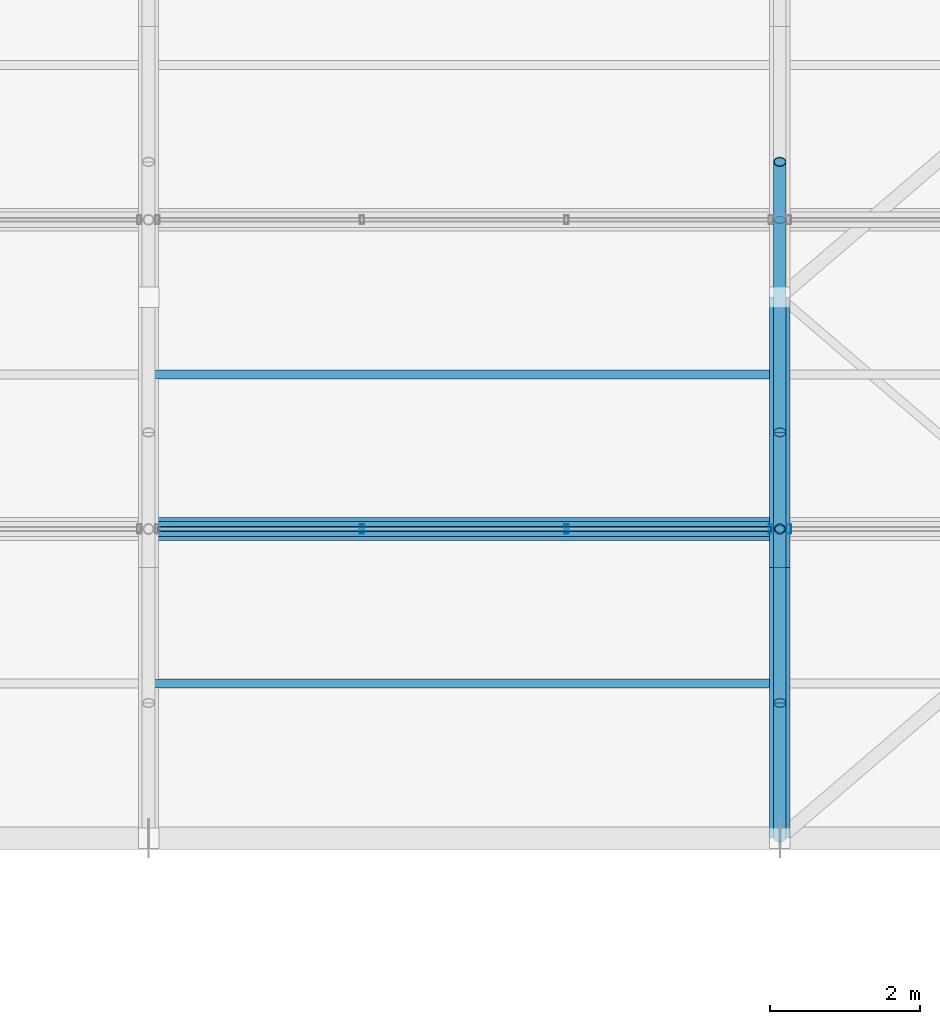
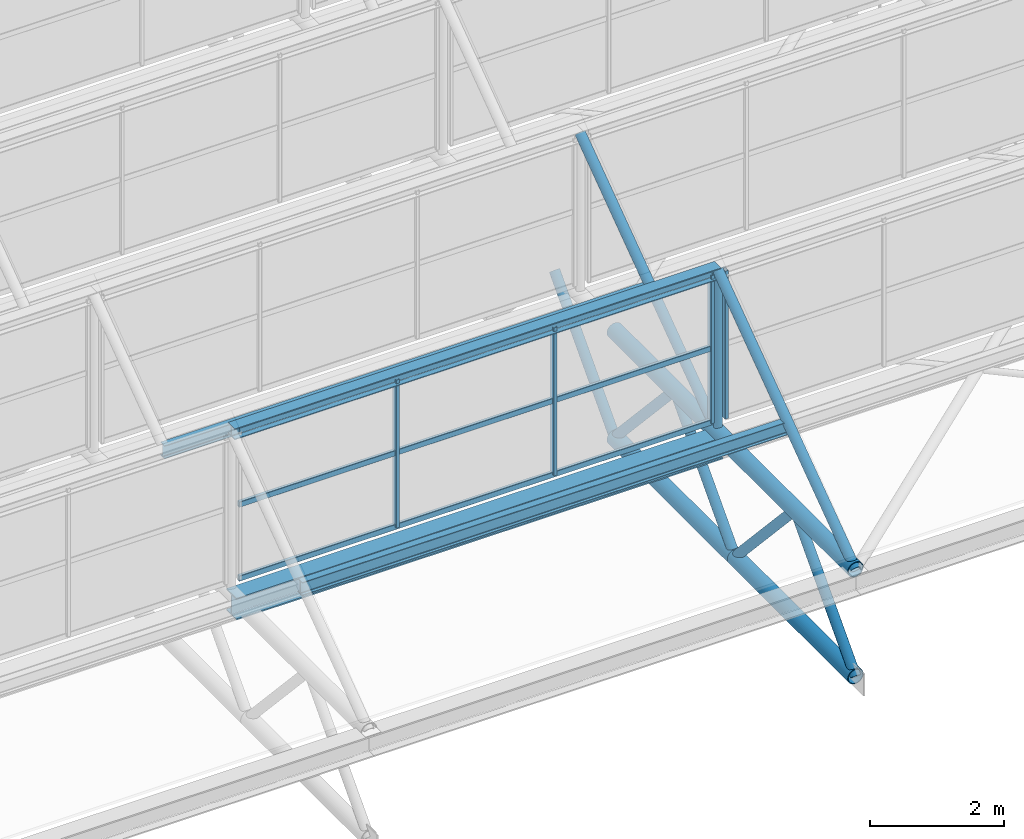
# One storey, part 84 of 134: 19 members, 4 beams, 2 elements without a shape of their own.
"""IFC4 building model written with IfcOpenShell, lengths in metres."""

from ifc_helpers import new_model, si_unit, derived_unit, direction, frame, origin, origin_2d, place, context, subcontext, project, spatial, hollow_rectangle, hollow_circle, i_section, extrude, material, material_profile, profile_set, type_object, element, aggregate, save


model = new_model("IFC4")

# Units and contexts
model_context = context("Model", 3, precision=1e-05, world=origin(), true_north=direction((0.0, 1.0)))
body_context = subcontext(model_context, "Body", "Model", "MODEL_VIEW")
ifc_project = project(units=[si_unit("LENGTHUNIT", "METRE"), si_unit("AREAUNIT", "SQUARE_METRE"), si_unit("VOLUMEUNIT", "CUBIC_METRE"), si_unit("PLANEANGLEUNIT", "RADIAN"), si_unit("MASSUNIT", "GRAM", prefix="KILO"), derived_unit("THERMALTRANSMITTANCEUNIT", [(si_unit("MASSUNIT", "GRAM", prefix="KILO"), 1), (si_unit("TIMEUNIT", "SECOND"), -3), (si_unit("THERMODYNAMICTEMPERATUREUNIT", "KELVIN"), -1)])], contexts=[model_context])

# Site, building, storey
site_placement = place(None, origin())
site = spatial("IfcSite", under=ifc_project, at=site_placement, CompositionType="ELEMENT")
building_placement = place(site_placement, origin())
building = spatial("IfcBuilding", under=site, at=building_placement, Name="Kharveza Railside Sports Centre", CompositionType="ELEMENT")
storey_placement = place(building_placement, frame((0.0, 0.0, 12.89990234375)))
storey = spatial("IfcBuildingStorey", under=building, at=storey_placement, Name="L03", CompositionType="ELEMENT", Elevation=12.89990234375)

# Beams
ifc_material_1 = material(Name="Steel S355J2", Category="steel")
ifc_material_profile_1 = material_profile(ifc_material_1, i_section(OverallWidth=0.300048828125, OverallDepth=0.39990234375, WebThickness=0.013427734375, FlangeThickness=0.02392578125, FilletRadius=0.027099609375, at=origin_2d()), Name="HEB 400")
ifc_profile_set_1 = profile_set([ifc_material_profile_1], Name="Steel S355J2")
beam_type_1 = type_object("IfcBeamType", Name="BM-G07", PredefinedType="T_BEAM", material=ifc_profile_set_1)
beam_1_placement = place(storey_placement, frame((126.0, 83.314208984375, 1.760009765625), z_axis=(1.0, 0.0, 0.0), x_axis=(0.0, 1.0, 0.0)))
element("IfcBeam", 1, at=beam_1_placement, inside=storey, type_object=beam_type_1, Name="BM-V2SAW-VAL-2-5", PredefinedType="T_BEAM", context=body_context, shape_type="SweptSolid", body=[
    extrude(i_section(OverallWidth=0.300048828125, OverallDepth=0.39990234375, WebThickness=0.013427734375, FlangeThickness=0.02392578125, FilletRadius=0.027099609375, at=origin_2d()), origin(), (0.0, 0.0, 1.0), 8.39990234375),
])
ifc_material_2 = material(Name="Steel S275JR", Category="steel")
ifc_material_profile_2 = material_profile(ifc_material_2, i_section(OverallWidth=0.1201171875, OverallDepth=0.239990234375, WebThickness=0.006103515625, FlangeThickness=0.009765625, FilletRadius=0.014892578125, at=origin_2d()), Name="IPE 240")
ifc_profile_set_2 = profile_set([ifc_material_profile_2], Name="Steel S275JR")
beam_type_2 = type_object("IfcBeamType", Name="BM-J01", PredefinedType="JOIST", material=ifc_profile_set_2)
for number, where, z_axis, x_axis, name in (
    (2, (126.0, 81.257080078125, 3.320068359375), (1.0, 0.0, 0.0), (0.0, 1.0, 0.0), "BM-V2SAW-PUR-1-5"),
    (3, (126.0, 85.37158203125, 3.320068359375), (1.0, 0.0, 0.0), (0.0, 1.0, 0.0), "BM-V2SAW-PUR-2-5"),
):
    element("IfcBeam", number, at=place(storey_placement, frame(where, z_axis=z_axis, x_axis=x_axis)), inside=storey, type_object=beam_type_2, Name=name, PredefinedType="JOIST", context=body_context, shape_type="SweptSolid", body=[
        extrude(i_section(OverallWidth=0.1201171875, OverallDepth=0.239990234375, WebThickness=0.006103515625, FlangeThickness=0.009765625, FilletRadius=0.014892578125, at=origin_2d()), origin(), (0.0, 0.0, 1.0), 8.39990234375),
    ])
ifc_material_profile_3 = material_profile(ifc_material_2, i_section(OverallWidth=0.199951171875, OverallDepth=0.199951171875, WebThickness=0.009033203125, FlangeThickness=0.014892578125, FilletRadius=0.01806640625, at=origin_2d()), Name="HEB 200")
ifc_profile_set_3 = profile_set([ifc_material_profile_3], Name="Steel S275JR")
beam_type_3 = type_object("IfcBeamType", Name="BM-J05", PredefinedType="JOIST", material=ifc_profile_set_3)
beam_2_placement = place(storey_placement, frame((126.0, 83.314208984375, 4.920166015625), z_axis=(1.0, 0.0, 0.0), x_axis=(0.0, 1.0, 0.0)))
element("IfcBeam", 4, at=beam_2_placement, inside=storey, type_object=beam_type_3, Name="BM-V2SAW-RDG-1-5", PredefinedType="JOIST", context=body_context, shape_type="SweptSolid", body=[
    extrude(i_section(OverallWidth=0.199951171875, OverallDepth=0.199951171875, WebThickness=0.009033203125, FlangeThickness=0.014892578125, FilletRadius=0.01806640625, at=origin_2d()), origin(), (0.0, 0.0, 1.0), 8.39990234375),
])

# Curtain wall, members
ifc_material_3 = material(Name="Low-E solar-control laminated glass", Category="glass")
curtain_wall_type = type_object("IfcCurtainWallType", Name="CW-NL02", PredefinedType="NOTDEFINED", material=ifc_material_3)
curtain_wall_1_placement = place(storey_placement, origin())
curtain_wall_1 = element("IfcCurtainWall", 5, at=curtain_wall_1_placement, inside=storey, type_object=curtain_wall_type, Name="CW-V2NL-1-5", PredefinedType="NOTDEFINED")
ifc_material_4 = material(Name="Anodised aluminium 6063-T6", Category="aluminium")
ifc_material_profile_4 = material_profile(ifc_material_4, hollow_rectangle(XDim=0.06005859375, YDim=0.1201171875, WallThickness=0.0048828125, InnerFilletRadius=0.0048828125, OuterFilletRadius=0.010009765625, at=origin_2d()), Name="RHS 60x120x5.0")
ifc_profile_set_4 = profile_set([ifc_material_profile_4], Name="Anodised aluminium 6063-T6")
member_type_1 = type_object("IfcMemberType", Name="CW-ML05", PredefinedType="MULLION", material=ifc_profile_set_4)
member_1_placement = place(storey_placement, frame((128.840087890625, 83.314208984375, 2.2001953125), z_axis=(0.0, 0.0, 1.0), x_axis=(1.0, 0.0, 0.0)))
member_1 = element("IfcMember", 6, at=member_1_placement, type_object=member_type_1, Name="CW-V2NL-1-5-ML2", PredefinedType="MULLION", context=body_context, shape_type="SweptSolid", body=[
    extrude(hollow_rectangle(XDim=0.06005859375, YDim=0.1201171875, WallThickness=0.0048828125, InnerFilletRadius=0.0048828125, OuterFilletRadius=0.010009765625, at=origin_2d()), origin(), (0.0, 0.0, 1.0), 2.699951171875),
])
member_2_placement = place(storey_placement, frame((131.56005859375, 83.314208984375, 2.2001953125), z_axis=(0.0, 0.0, 1.0), x_axis=(1.0, 0.0, 0.0)))
member_2 = element("IfcMember", 7, at=member_2_placement, type_object=member_type_1, Name="CW-V2NL-1-5-ML3", PredefinedType="MULLION", context=body_context, shape_type="SweptSolid", body=[
    extrude(hollow_rectangle(XDim=0.06005859375, YDim=0.1201171875, WallThickness=0.0048828125, InnerFilletRadius=0.0048828125, OuterFilletRadius=0.010009765625, at=origin_2d()), origin(), (0.0, 0.0, 1.0), 2.699951171875),
])
member_3_placement = place(storey_placement, frame((134.280029296875, 83.314208984375, 2.2001953125), z_axis=(0.0, 0.0, 1.0), x_axis=(1.0, 0.0, 0.0)))
member_3 = element("IfcMember", 8, at=member_3_placement, type_object=member_type_1, Name="CW-V2NL-1-5-ML4", PredefinedType="MULLION", context=body_context, shape_type="SweptSolid", body=[
    extrude(hollow_rectangle(XDim=0.06005859375, YDim=0.1201171875, WallThickness=0.0048828125, InnerFilletRadius=0.0048828125, OuterFilletRadius=0.010009765625, at=origin_2d()), origin(), (0.0, 0.0, 1.0), 2.699951171875),
])

# Curtain wall, member
curtain_wall_2_placement = place(storey_placement, origin())
curtain_wall_2 = element("IfcCurtainWall", 9, at=curtain_wall_2_placement, inside=storey, type_object=curtain_wall_type, Name="CW-V2NL-1-6", PredefinedType="NOTDEFINED")
member_4_placement = place(storey_placement, frame((134.52001953125, 83.314208984375, 2.2001953125), z_axis=(0.0, 0.0, 1.0), x_axis=(1.0, 0.0, 0.0)))
member_4 = element("IfcMember", 10, at=member_4_placement, type_object=member_type_1, Name="CW-V2NL-1-6-ML1", PredefinedType="MULLION", context=body_context, shape_type="SweptSolid", body=[
    extrude(hollow_rectangle(XDim=0.06005859375, YDim=0.1201171875, WallThickness=0.0048828125, InnerFilletRadius=0.0048828125, OuterFilletRadius=0.010009765625, at=origin_2d()), origin(), (0.0, 0.0, 1.0), 2.699951171875),
])
aggregate(curtain_wall_2, [member_4])

# Member
ifc_material_profile_5 = material_profile(ifc_material_4, hollow_rectangle(XDim=0.06005859375, YDim=0.10009765625, WallThickness=0.00390625, InnerFilletRadius=0.00390625, OuterFilletRadius=0.008056640625, at=origin_2d()), Name="RHS 60x100x4.0")
ifc_profile_set_5 = profile_set([ifc_material_profile_5], Name="Anodised aluminium 6063-T6")
member_type_2 = type_object("IfcMemberType", Name="CW-TR05", PredefinedType="USERDEFINED", material=ifc_profile_set_5)
member_5_placement = place(storey_placement, frame((126.1201171875, 83.314208984375, 2.2001953125), z_axis=(1.0, 0.0, 0.0), x_axis=(0.0, 1.0, 0.0)))
member_5 = element("IfcMember", 11, at=member_5_placement, type_object=member_type_2, Name="CW-V2NL-1-5-TR1", ObjectType="TRANSOM", PredefinedType="USERDEFINED", context=body_context, shape_type="SweptSolid", body=[
    extrude(hollow_rectangle(XDim=0.06005859375, YDim=0.10009765625, WallThickness=0.00390625, InnerFilletRadius=0.00390625, OuterFilletRadius=0.008056640625, at=origin_2d()), origin(), (0.0, 0.0, 1.0), 8.159912109375),
])

member_6_placement = place(storey_placement, frame((126.1201171875, 83.314208984375, 3.550048828125), z_axis=(1.0, 0.0, 0.0), x_axis=(0.0, 1.0, 0.0)))
member_6 = element("IfcMember", 12, at=member_6_placement, type_object=member_type_2, Name="CW-V2NL-1-5-TR2", ObjectType="TRANSOM", PredefinedType="USERDEFINED", context=body_context, shape_type="SweptSolid", body=[
    extrude(hollow_rectangle(XDim=0.06005859375, YDim=0.10009765625, WallThickness=0.00390625, InnerFilletRadius=0.00390625, OuterFilletRadius=0.008056640625, at=origin_2d()), origin(), (0.0, 0.0, 1.0), 8.159912109375),
])

member_7_placement = place(storey_placement, frame((126.1201171875, 83.314208984375, 4.900146484375), z_axis=(1.0, 0.0, 0.0), x_axis=(0.0, 1.0, 0.0)))
member_7 = element("IfcMember", 13, at=member_7_placement, type_object=member_type_2, Name="CW-V2NL-1-5-TR3", ObjectType="TRANSOM", PredefinedType="USERDEFINED", context=body_context, shape_type="SweptSolid", body=[
    extrude(hollow_rectangle(XDim=0.06005859375, YDim=0.10009765625, WallThickness=0.00390625, InnerFilletRadius=0.00390625, OuterFilletRadius=0.008056640625, at=origin_2d()), origin(), (0.0, 0.0, 1.0), 8.159912109375),
])

aggregate(curtain_wall_1, [member_1, member_2, member_3, member_5, member_6, member_7])

# Members
ifc_material_profile_6 = material_profile(ifc_material_1, hollow_circle(Radius=0.136474609375, WallThickness=0.01416015625, at=origin_2d()), Name="CHS 273.0x14.2")
ifc_profile_set_6 = profile_set([ifc_material_profile_6], Name="Steel S355J2")
member_type_3 = type_object("IfcMemberType", Name="MB-CH03", PredefinedType="CHORD", material=ifc_profile_set_6)
for number, where, z_axis, x_axis, name in (
    (14, (134.39990234375, 79.199951171875, 0.0), (0.0, 1.0, 0.0), (-1.0, 0.0, 0.0), "MB-V2TR-BC-6-1"),
    (15, (134.39990234375, 79.199951171875, 1.9501953125), (0.0, 1.0, 0.0), (-1.0, 0.0, 0.0), "MB-V2TR-TC-6-1"),
):
    element("IfcMember", number, at=place(storey_placement, frame(where, z_axis=z_axis, x_axis=x_axis)), inside=storey, type_object=member_type_3, Name=name, PredefinedType="CHORD", context=body_context, shape_type="SweptSolid", body=[
        extrude(hollow_circle(Radius=0.136474609375, WallThickness=0.01416015625, at=origin_2d()), origin(), (0.0, 0.0, 1.0), 3.60009765625),
    ])
for number, where, z_axis, x_axis, name in (
    (16, (134.39990234375, 82.800048828125, 0.0), (0.0, 1.0, 0.0), (-1.0, 0.0, 0.0), "MB-V2TR-BC-6-2"),
    (17, (134.39990234375, 82.800048828125, 1.9501953125), (0.0, 1.0, 0.0), (-1.0, 0.0, 0.0), "MB-V2TR-TC-6-2"),
):
    element("IfcMember", number, at=place(storey_placement, frame(where, z_axis=z_axis, x_axis=x_axis)), inside=storey, type_object=member_type_3, Name=name, PredefinedType="CHORD", context=body_context, shape_type="SweptSolid", body=[
        extrude(hollow_circle(Radius=0.136474609375, WallThickness=0.01416015625, at=origin_2d()), origin(), (0.0, 0.0, 1.0), 3.599853515625),
    ])
ifc_material_profile_7 = material_profile(ifc_material_1, hollow_circle(Radius=0.084228515625, WallThickness=0.010009765625, at=origin_2d()), Name="CHS 168.3x10.0")
ifc_profile_set_7 = profile_set([ifc_material_profile_7], Name="Steel S355J2")
member_type_4 = type_object("IfcMemberType", Name="MB-ST03", PredefinedType="STRUT", material=ifc_profile_set_7)
for number, where, z_axis, x_axis, name in (
    (18, (134.39990234375, 79.199951171875, 0.0), (0.0, 0.67825335715, 0.734828131956), (-1.0, 0.0, 0.0), "MB-V2TR-D1-6-1"),
    (19, (134.39990234375, 81.0, 1.9501953125), (0.0, 0.67825335715, -0.734828131956), (-1.0, 0.0, 0.0), "MB-V2TR-D2-6-1"),
    (20, (134.39990234375, 82.800048828125, 0.0), (0.0, 0.67825335715, 0.734828131956), (-1.0, 0.0, 0.0), "MB-V2TR-D1-6-2"),
):
    element("IfcMember", number, at=place(storey_placement, frame(where, z_axis=z_axis, x_axis=x_axis)), inside=storey, type_object=member_type_4, Name=name, PredefinedType="STRUT", context=body_context, shape_type="SweptSolid", body=[
        extrude(hollow_circle(Radius=0.084228515625, WallThickness=0.010009765625, at=origin_2d()), origin(), (0.0, 0.0, 1.0), 2.654052734375),
    ])
member_8_placement = place(storey_placement, frame((134.39990234375, 84.60009765625, 1.9501953125), z_axis=(0.0, 0.678203679629, -0.734873981671), x_axis=(-1.0, 0.0, 0.0)))
element("IfcMember", 21, at=member_8_placement, inside=storey, type_object=member_type_4, Name="MB-V2TR-D2-6-2", PredefinedType="STRUT", context=body_context, shape_type="SweptSolid", body=[
    extrude(hollow_circle(Radius=0.084228515625, WallThickness=0.010009765625, at=origin_2d()), origin(), (0.0, 0.0, 1.0), 2.65380859375),
])
member_9_placement = place(storey_placement, frame((134.39990234375, 86.39990234375, 0.0), z_axis=(0.0, 0.67825335715, 0.734828131956), x_axis=(-1.0, 0.0, 0.0)))
element("IfcMember", 22, at=member_9_placement, inside=storey, type_object=member_type_4, Name="MB-V2TR-D1-6-3", PredefinedType="STRUT", context=body_context, shape_type="SweptSolid", body=[
    extrude(hollow_circle(Radius=0.084228515625, WallThickness=0.010009765625, at=origin_2d()), origin(), (0.0, 0.0, 1.0), 2.654052734375),
])
member_10_placement = place(storey_placement, frame((134.39990234375, 79.199951171875, 1.9501953125), z_axis=(0.0, 0.810813691418, 0.585304329225), x_axis=(-1.0, 0.0, 0.0)))
element("IfcMember", 23, at=member_10_placement, inside=storey, type_object=member_type_4, Name="MB-V2SAW-RFT-1-6", PredefinedType="STRUT", context=body_context, shape_type="SweptSolid", body=[
    extrude(hollow_circle(Radius=0.084228515625, WallThickness=0.010009765625, at=origin_2d()), origin(), (0.0, 0.0, 1.0), 5.07421875),
])
member_11_placement = place(storey_placement, frame((134.39990234375, 83.314208984375, 1.9501953125), z_axis=(0.0, 0.810830173333, 0.585281496386), x_axis=(-1.0, 0.0, 0.0)))
element("IfcMember", 24, at=member_11_placement, inside=storey, type_object=member_type_4, Name="MB-V2SAW-RFT-2-6", PredefinedType="STRUT", context=body_context, shape_type="SweptSolid", body=[
    extrude(hollow_circle(Radius=0.084228515625, WallThickness=0.010009765625, at=origin_2d()), origin(), (0.0, 0.0, 1.0), 5.074462890625),
])
ifc_material_profile_8 = material_profile(ifc_material_1, hollow_circle(Radius=0.06982421875, WallThickness=0.008056640625, at=origin_2d()), Name="CHS 139.7x8.0")
ifc_profile_set_8 = profile_set([ifc_material_profile_8], Name="Steel S355J2")
member_type_5 = type_object("IfcMemberType", Name="MB-ST04", PredefinedType="STRUT", material=ifc_profile_set_8)
member_12_placement = place(storey_placement, frame((134.39990234375, 83.314208984375, 1.9501953125), z_axis=(0.0, 0.0, 1.0), x_axis=(1.0, 0.0, 0.0)))
element("IfcMember", 25, at=member_12_placement, inside=storey, type_object=member_type_5, Name="MB-V2SAW-PST-1-6", PredefinedType="STRUT", context=body_context, shape_type="SweptSolid", body=[
    extrude(hollow_circle(Radius=0.06982421875, WallThickness=0.008056640625, at=origin_2d()), origin(), (0.0, 0.0, 1.0), 2.969970703125),
])

save(model, "model.ifc")
